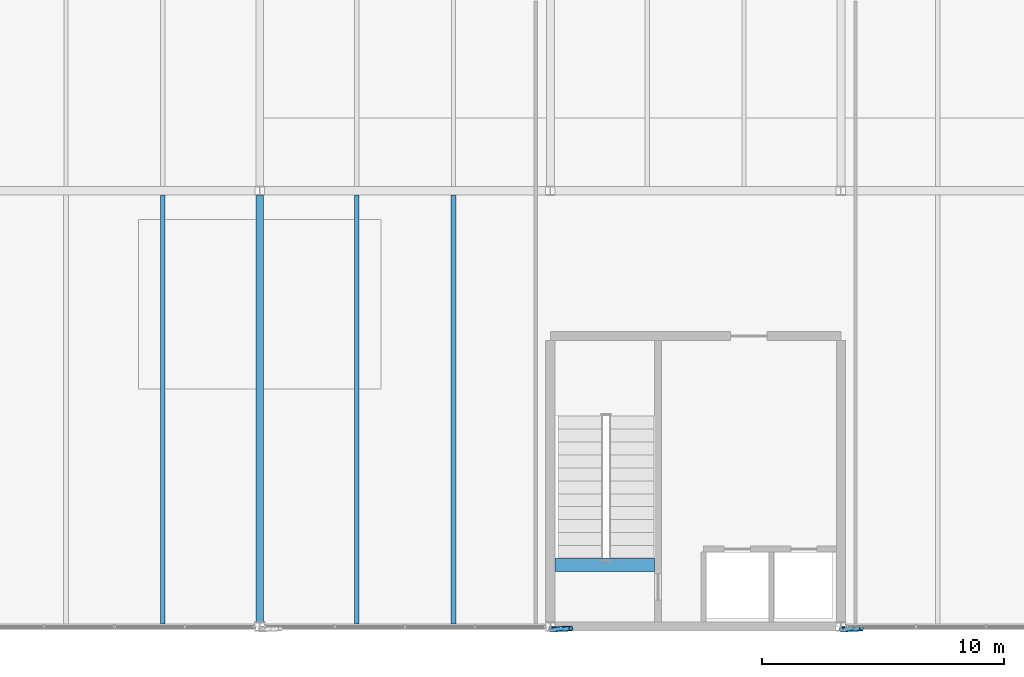
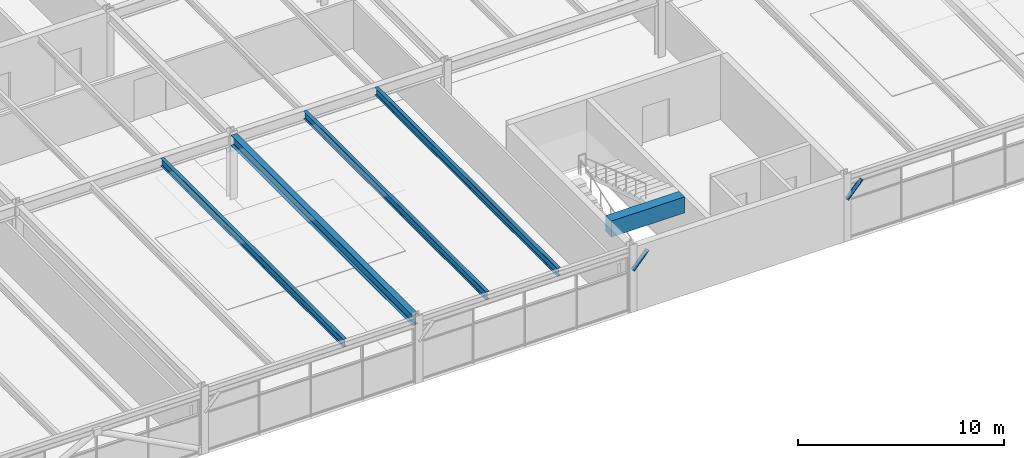
# One storey, part 15 of 51: 5 beams, 2 members.
"""IFC4 building model written with IfcOpenShell, lengths in metres."""

from ifc_helpers import new_model, si_unit, direction, frame, origin, origin_2d, place, context, subcontext, project, spatial, rectangle, hollow_circle, i_section, extrude, material, material_profile, profile_set, type_object, element, save


model = new_model("IFC4")

# Units and contexts
model_context = context("Model", 3, precision=1e-05, world=origin(), true_north=direction((0.0, 1.0)))
body_context = subcontext(model_context, "Body", "Model", "MODEL_VIEW")
ifc_project = project(units=[si_unit("LENGTHUNIT", "METRE"), si_unit("AREAUNIT", "SQUARE_METRE"), si_unit("VOLUMEUNIT", "CUBIC_METRE"), si_unit("PLANEANGLEUNIT", "RADIAN"), si_unit("MASSUNIT", "GRAM", prefix="KILO")], contexts=[model_context])

# Site, building, storey
site_placement = place(None, origin())
site = spatial("IfcSite", under=ifc_project, at=site_placement, CompositionType="ELEMENT")
building_placement = place(site_placement, origin())
building = spatial("IfcBuilding", under=site, at=building_placement, Name="Girod Span Mobility Hub", CompositionType="ELEMENT")
storey_placement = place(building_placement, frame((0.0, 0.0, 41.60009765625)))
storey = spatial("IfcBuildingStorey", under=building, at=storey_placement, Name="L10", CompositionType="ELEMENT", Elevation=41.60009765625)

# Beams
ifc_material_1 = material(Name="Concrete C40/50", Category="concrete")
ifc_material_profile_1 = material_profile(ifc_material_1, rectangle(XDim=0.550048828125, YDim=0.949951171875, at=origin_2d()), Name="RK-550X950")
ifc_profile_set_1 = profile_set([ifc_material_profile_1], Name="Concrete C40/50")
beam_type_1 = type_object("IfcBeamType", Name="BM-RK-550X950", PredefinedType="BEAM", material=ifc_profile_set_1)
beam_1_placement = place(storey_placement, frame((72.18701171875, 29.550048828125, 3.349853515625), z_axis=(1.0, 0.0, 0.0), x_axis=(0.0, 1.0, 0.0)))
element("IfcBeam", 1, at=beam_1_placement, inside=storey, type_object=beam_type_1, Name="Stair ST-3 Landing Header Beam L10", PredefinedType="BEAM", context=body_context, shape_type="SweptSolid", body=[
    extrude(rectangle(XDim=0.550048828125, YDim=0.949951171875, at=origin_2d()), origin(), (0.0, 0.0, 1.0), 4.115966796875),
])
ifc_material_2 = material(Name="Steel A992 Grade 50", Category="steel")
ifc_material_profile_2 = material_profile(ifc_material_2, i_section(OverallWidth=0.19189453125, OverallDepth=0.462890625, WebThickness=0.010498046875, FlangeThickness=0.017578125, FilletRadius=0.013916015625, at=origin_2d()), Name="W18X60")
ifc_profile_set_2 = profile_set([ifc_material_profile_2], Name="Steel A992 Grade 50")
beam_type_2 = type_object("IfcBeamType", Name="BM-STL-W18X60", PredefinedType="BEAM", material=ifc_profile_set_2)
for number, where, z_axis, x_axis, name in (
    (2, (56.0, 27.10302734375, 3.593505859375), (0.0, 1.0, 0.0), (-1.0, 0.0, 0.0), "Composite Floorbeam 5/C-2 L10"),
    (3, (64.0, 27.10302734375, 3.593505859375), (0.0, 1.0, 0.0), (-1.0, 0.0, 0.0), "Composite Floorbeam 6/C-1 L10"),
    (4, (68.0, 27.10302734375, 3.593505859375), (0.0, 1.0, 0.0), (-1.0, 0.0, 0.0), "Composite Floorbeam 6/C-2 L10"),
):
    element("IfcBeam", number, at=place(storey_placement, frame(where, z_axis=z_axis, x_axis=x_axis)), inside=storey, type_object=beam_type_2, Name=name, PredefinedType="BEAM", context=body_context, shape_type="SweptSolid", body=[
        extrude(i_section(OverallWidth=0.19189453125, OverallDepth=0.462890625, WebThickness=0.010498046875, FlangeThickness=0.017578125, FilletRadius=0.013916015625, at=origin_2d()), origin(), (0.0, 0.0, 1.0), 17.722412109375),
    ])
ifc_material_3 = material(Name="Steel A992 Grade 50", Category="steel")
ifc_material_profile_3 = material_profile(ifc_material_3, i_section(OverallWidth=0.323974609375, OverallDepth=0.611083984375, WebThickness=0.0126953125, FlangeThickness=0.01904296875, FilletRadius=0.014892578125, at=origin_2d()), Name="W24X104")
ifc_profile_set_3 = profile_set([ifc_material_profile_3], Name="Steel A992 Grade 50")
beam_type_3 = type_object("IfcBeamType", Name="BM-STL-W24X104", PredefinedType="BEAM", material=ifc_profile_set_3)
beam_2_placement = place(storey_placement, frame((60.0, 27.1845703125, 3.519287109375), z_axis=(0.0, 1.0, 0.0), x_axis=(-1.0, 0.0, 0.0)))
element("IfcBeam", 5, at=beam_2_placement, inside=storey, type_object=beam_type_3, Name="Tie Girder 6/C-D L10", PredefinedType="BEAM", context=body_context, shape_type="SweptSolid", body=[
    extrude(i_section(OverallWidth=0.323974609375, OverallDepth=0.611083984375, WebThickness=0.0126953125, FlangeThickness=0.01904296875, FilletRadius=0.014892578125, at=origin_2d()), origin(), (0.0, 0.0, 1.0), 17.621826171875),
])

# Members
ifc_material_4 = material(Name="Steel HSS A500 Grade C", Category="steel")
ifc_material_profile_4 = material_profile(ifc_material_4, hollow_circle(Radius=0.109619140625, WallThickness=0.0087890625, at=origin_2d()), Name="HSS219X9.5")
ifc_profile_set_4 = profile_set([ifc_material_profile_4], Name="Steel HSS A500 Grade C")
member_type = type_object("IfcMemberType", Name="MB-ST-HSS219", PredefinedType="STRUT", material=ifc_profile_set_4)
for number, where, z_axis, x_axis, name in (
    (6, (72.0, 26.8798828125, 2.449951171875), (0.68831469116, 0.032419187062, 0.72468743762), (-0.047047213483, 0.998892666758, 0.0), "Solar Shading Knee Strut 7 L10"),
    (7, (84.0, 26.8798828125, 2.449951171875), (0.68831469116, 0.032419187062, 0.72468743762), (-0.047047213483, 0.998892666758, 0.0), "Solar Shading Knee Strut 8 L10"),
):
    element("IfcMember", number, at=place(storey_placement, frame(where, z_axis=z_axis, x_axis=x_axis)), inside=storey, type_object=member_type, Name=name, PredefinedType="STRUT", context=body_context, shape_type="SweptSolid", body=[
        extrude(hollow_circle(Radius=0.109619140625, WallThickness=0.0087890625, at=origin_2d()), origin(), (0.0, 0.0, 1.0), 1.235107421875),
    ])

save(model, "model.ifc")
